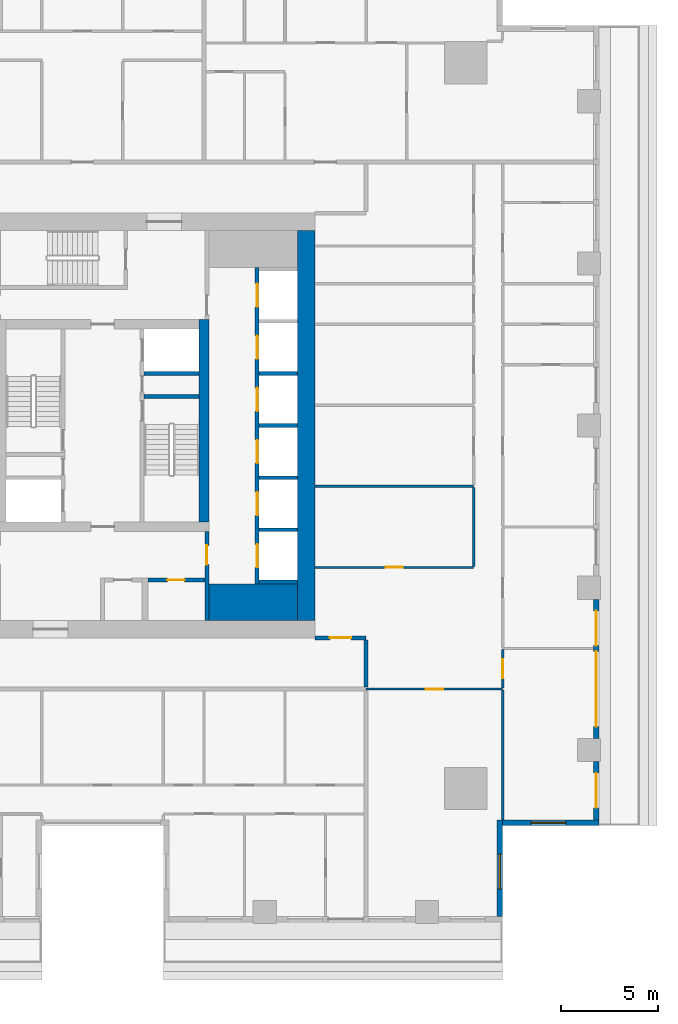
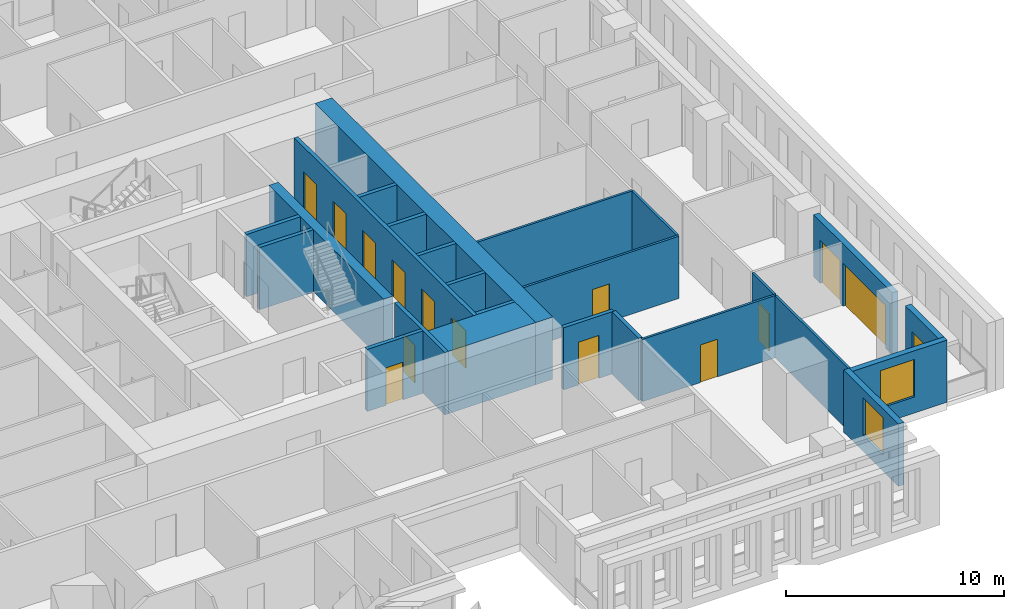
# One storey, part 5 of 15: 25 walls, 15 doors, 2 windows, 17 openings.
"""IFC4 building model written with IfcOpenShell, lengths in metres."""

from ifc_helpers import new_model, si_unit, direction, frame, frame_2d, origin, place, context, subcontext, project, spatial, rectangle, extrude, material, layer, layer_set, type_object, element, fill, save


model = new_model("IFC4")

# Units and contexts
model_context = context("Model", 3, precision=1e-05, world=origin(), true_north=direction((0.0, 1.0)))
body_context = subcontext(model_context, "Body", "Model", "MODEL_VIEW")
ifc_project = project(units=[si_unit("LENGTHUNIT", "METRE"), si_unit("AREAUNIT", "SQUARE_METRE"), si_unit("VOLUMEUNIT", "CUBIC_METRE"), si_unit("PLANEANGLEUNIT", "RADIAN"), si_unit("MASSUNIT", "GRAM", prefix="KILO")], contexts=[model_context])

# Site, building, storey
site_placement = place(None, origin())
site = spatial("IfcSite", under=ifc_project, at=site_placement, CompositionType="ELEMENT")
building_placement = place(site_placement, origin())
building = spatial("IfcBuilding", under=site, at=building_placement, Name="Khepri Terraces", CompositionType="ELEMENT")
storey_placement = place(building_placement, frame((0.0, 0.0, 244.5)))
storey = spatial("IfcBuildingStorey", under=building, at=storey_placement, Name="L58", CompositionType="ELEMENT", Elevation=244.5)

# Walls
ifc_material_1 = material(Name="Concrete C40/50", Category="concrete")
ifc_layer_1 = layer(ifc_material_1, 1.89990234375, Name="Concrete C40/50", Category="concrete")
ifc_layer_set_1 = layer_set([ifc_layer_1], Name="Concrete C40/50")
wall_type_1 = type_object("IfcWallType", Name="Core wall 1900 C40/50", PredefinedType="SHEAR", material=ifc_layer_set_1)
wall_1_placement = place(storey_placement, frame((5.5, -9.14990234375, 0.0), z_axis=(0.0, 0.0, 1.0), x_axis=(1.0, 0.0, 0.0)))
element("IfcWall", 1, at=wall_1_placement, inside=storey, type_object=wall_type_1, Name="Core wall PR02 L58", PredefinedType="SHEAR", context=body_context, shape_type="SweptSolid", body=[
    extrude(rectangle(XDim=4.60009765625, YDim=1.89990234375, at=frame_2d((2.300048828125, 0.0))), origin(), (0.0, 0.0, 1.0), 3.47998046875),
])
ifc_layer_2 = layer(ifc_material_1, 0.199951171875, Name="Concrete C40/50", Category="concrete")
ifc_layer_set_2 = layer_set([ifc_layer_2], Name="Concrete C40/50")
wall_type_2 = type_object("IfcWallType", Name="Core wall 200 C40/50", PredefinedType="SHEAR", material=ifc_layer_set_2)
wall_2_placement = place(storey_placement, frame((2.14990234375, 1.5, 0.0), z_axis=(0.0, 0.0, 1.0), x_axis=(1.0, 0.0, 0.0)))
element("IfcWall", 2, at=wall_2_placement, inside=storey, type_object=wall_type_2, Name="Core wall ST04 L58", PredefinedType="SHEAR", context=body_context, shape_type="SweptSolid", body=[
    extrude(rectangle(XDim=2.85009765625, YDim=0.199951171875, at=frame_2d((1.425048828125, 0.0))), origin(), (0.0, 0.0, 1.0), 3.47998046875),
])

# Wall, openings, doors
wall_3_placement = place(storey_placement, frame((8.0, -8.199951171875, 0.0), z_axis=(0.0, 0.0, 1.0), x_axis=(0.0, 1.0, 0.0)))
wall_3 = element("IfcWall", 3, at=wall_3_placement, inside=storey, type_object=wall_type_2, Name="Core wall SH02 L58", PredefinedType="SHEAR", context=body_context, shape_type="SweptSolid", body=[
    extrude(rectangle(XDim=16.39990234375, YDim=0.199951171875, at=frame_2d((8.199951171875, 0.0))), origin(), (0.0, 0.0, 1.0), 3.47998046875),
])
opening_1_placement = place(wall_3_placement, frame((0.85009765625, 0.0, 0.0)))
opening_1 = element("IfcOpeningElement", 4, at=opening_1_placement, cuts=wall_3, Name="Opening L58-C01", PredefinedType="OPENING", context=body_context, shape_type="SweptSolid", body=[
    extrude(rectangle(XDim=1.199951171875, YDim=2.10009765625, at=frame_2d((0.60009765625, 1.050048828125))), frame((0.0, 0.10986328125, 0.0), z_axis=(0.0, -1.0, 0.0), x_axis=(1.0, 0.0, 0.0)), (0.0, 0.0, 1.0), 0.219970703125),
])
opening_2_placement = place(wall_3_placement, frame((3.550048828125, 0.0, 0.0)))
opening_2 = element("IfcOpeningElement", 5, at=opening_2_placement, cuts=wall_3, Name="Opening L58-C02", PredefinedType="OPENING", context=body_context, shape_type="SweptSolid", body=[
    extrude(rectangle(XDim=1.199951171875, YDim=2.10009765625, at=frame_2d((0.60009765625, 1.050048828125))), frame((0.0, 0.10986328125, 0.0), z_axis=(0.0, -1.0, 0.0), x_axis=(1.0, 0.0, 0.0)), (0.0, 0.0, 1.0), 0.219970703125),
])
opening_3_placement = place(wall_3_placement, frame((6.25, 0.0, 0.0)))
opening_3 = element("IfcOpeningElement", 6, at=opening_3_placement, cuts=wall_3, Name="Opening L58-C03", PredefinedType="OPENING", context=body_context, shape_type="SweptSolid", body=[
    extrude(rectangle(XDim=1.199951171875, YDim=2.10009765625, at=frame_2d((0.60009765625, 1.050048828125))), frame((0.0, 0.10986328125, 0.0), z_axis=(0.0, -1.0, 0.0), x_axis=(1.0, 0.0, 0.0)), (0.0, 0.0, 1.0), 0.219970703125),
])
opening_4_placement = place(wall_3_placement, frame((8.949951171875, 0.0, 0.0)))
opening_4 = element("IfcOpeningElement", 7, at=opening_4_placement, cuts=wall_3, Name="Opening L58-C04", PredefinedType="OPENING", context=body_context, shape_type="SweptSolid", body=[
    extrude(rectangle(XDim=1.199951171875, YDim=2.10009765625, at=frame_2d((0.60009765625, 1.050048828125))), frame((0.0, 0.10986328125, 0.0), z_axis=(0.0, -1.0, 0.0), x_axis=(1.0, 0.0, 0.0)), (0.0, 0.0, 1.0), 0.219970703125),
])
opening_5_placement = place(wall_3_placement, frame((11.64990234375, 0.0, 0.0)))
opening_5 = element("IfcOpeningElement", 8, at=opening_5_placement, cuts=wall_3, Name="Opening L58-C05", PredefinedType="OPENING", context=body_context, shape_type="SweptSolid", body=[
    extrude(rectangle(XDim=1.199951171875, YDim=2.10009765625, at=frame_2d((0.60009765625, 1.050048828125))), frame((0.0, 0.10986328125, 0.0), z_axis=(0.0, -1.0, 0.0), x_axis=(1.0, 0.0, 0.0)), (0.0, 0.0, 1.0), 0.219970703125),
])
opening_6_placement = place(wall_3_placement, frame((14.35009765625, 0.0, 0.0)))
opening_6 = element("IfcOpeningElement", 9, at=opening_6_placement, cuts=wall_3, Name="Opening L58-C06", PredefinedType="OPENING", context=body_context, shape_type="SweptSolid", body=[
    extrude(rectangle(XDim=1.199951171875, YDim=2.10009765625, at=frame_2d((0.60009765625, 1.050048828125))), frame((0.0, 0.10986328125, 0.0), z_axis=(0.0, -1.0, 0.0), x_axis=(1.0, 0.0, 0.0)), (0.0, 0.0, 1.0), 0.219970703125),
])
ifc_material_2 = material(Name="Stainless steel 304", Category="steel")
door_type_1 = type_object("IfcDoorType", Name="DR-CORE-LANDING-1200", OperationType="NOTDEFINED", PredefinedType="DOOR", material=ifc_material_2)
door_1_placement = place(opening_1_placement, origin())
door_1 = element("IfcDoor", 10, at=door_1_placement, inside=storey, type_object=door_type_1, Name="Lift landing door L58-C01", OperationType="SLIDING_TO_LEFT", OverallHeight=2.10009765625, OverallWidth=1.199951171875, PredefinedType="DOOR", context=body_context, shape_type="SweptSolid", body=[
    extrude(rectangle(XDim=1.199951171875, YDim=2.10009765625, at=frame_2d((0.60009765625, 1.050048828125))), frame((0.0, 0.02490234375, 0.0), z_axis=(0.0, -1.0, 0.0), x_axis=(1.0, 0.0, 0.0)), (0.0, 0.0, 1.0), 0.050048828125),
])
fill(opening_1, door_1)
door_2_placement = place(opening_2_placement, origin())
door_2 = element("IfcDoor", 11, at=door_2_placement, inside=storey, type_object=door_type_1, Name="Lift landing door L58-C02", OperationType="SLIDING_TO_LEFT", OverallHeight=2.10009765625, OverallWidth=1.199951171875, PredefinedType="DOOR", context=body_context, shape_type="SweptSolid", body=[
    extrude(rectangle(XDim=1.199951171875, YDim=2.10009765625, at=frame_2d((0.60009765625, 1.050048828125))), frame((0.0, 0.02490234375, 0.0), z_axis=(0.0, -1.0, 0.0), x_axis=(1.0, 0.0, 0.0)), (0.0, 0.0, 1.0), 0.050048828125),
])
fill(opening_2, door_2)
door_3_placement = place(opening_3_placement, origin())
door_3 = element("IfcDoor", 12, at=door_3_placement, inside=storey, type_object=door_type_1, Name="Lift landing door L58-C03", OperationType="SLIDING_TO_LEFT", OverallHeight=2.10009765625, OverallWidth=1.199951171875, PredefinedType="DOOR", context=body_context, shape_type="SweptSolid", body=[
    extrude(rectangle(XDim=1.199951171875, YDim=2.10009765625, at=frame_2d((0.60009765625, 1.050048828125))), frame((0.0, 0.02490234375, 0.0), z_axis=(0.0, -1.0, 0.0), x_axis=(1.0, 0.0, 0.0)), (0.0, 0.0, 1.0), 0.050048828125),
])
fill(opening_3, door_3)
door_4_placement = place(opening_4_placement, origin())
door_4 = element("IfcDoor", 13, at=door_4_placement, inside=storey, type_object=door_type_1, Name="Lift landing door L58-C04", OperationType="SLIDING_TO_LEFT", OverallHeight=2.10009765625, OverallWidth=1.199951171875, PredefinedType="DOOR", context=body_context, shape_type="SweptSolid", body=[
    extrude(rectangle(XDim=1.199951171875, YDim=2.10009765625, at=frame_2d((0.60009765625, 1.050048828125))), frame((0.0, 0.02490234375, 0.0), z_axis=(0.0, -1.0, 0.0), x_axis=(1.0, 0.0, 0.0)), (0.0, 0.0, 1.0), 0.050048828125),
])
fill(opening_4, door_4)
door_5_placement = place(opening_5_placement, origin())
door_5 = element("IfcDoor", 14, at=door_5_placement, inside=storey, type_object=door_type_1, Name="Lift landing door L58-C05", OperationType="SLIDING_TO_LEFT", OverallHeight=2.10009765625, OverallWidth=1.199951171875, PredefinedType="DOOR", context=body_context, shape_type="SweptSolid", body=[
    extrude(rectangle(XDim=1.199951171875, YDim=2.10009765625, at=frame_2d((0.60009765625, 1.050048828125))), frame((0.0, 0.02490234375, 0.0), z_axis=(0.0, -1.0, 0.0), x_axis=(1.0, 0.0, 0.0)), (0.0, 0.0, 1.0), 0.050048828125),
])
fill(opening_5, door_5)
door_6_placement = place(opening_6_placement, origin())
door_6 = element("IfcDoor", 15, at=door_6_placement, inside=storey, type_object=door_type_1, Name="Lift landing door L58-C06", OperationType="SLIDING_TO_LEFT", OverallHeight=2.10009765625, OverallWidth=1.199951171875, PredefinedType="DOOR", context=body_context, shape_type="SweptSolid", body=[
    extrude(rectangle(XDim=1.199951171875, YDim=2.10009765625, at=frame_2d((0.60009765625, 1.050048828125))), frame((0.0, 0.02490234375, 0.0), z_axis=(0.0, -1.0, 0.0), x_axis=(1.0, 0.0, 0.0)), (0.0, 0.0, 1.0), 0.050048828125),
])
fill(opening_6, door_6)

# Walls
for number, where, z_axis, x_axis, name in (
    (16, (8.10009765625, -8.10009765625, 0.0), (0.0, 0.0, 1.0), (1.0, 0.0, 0.0), "Core wall SH03 L58"),
    (17, (8.10009765625, -5.39990234375, 0.0), (0.0, 0.0, 1.0), (1.0, 0.0, 0.0), "Core wall SH04 L58"),
    (18, (8.10009765625, -2.699951171875, 0.0), (0.0, 0.0, 1.0), (1.0, 0.0, 0.0), "Core wall SH08 L58"),
    (19, (8.10009765625, 0.0, 0.0), (0.0, 0.0, 1.0), (1.0, 0.0, 0.0), "Core wall SH09 L58"),
):
    element("IfcWall", number, at=place(storey_placement, frame(where, z_axis=z_axis, x_axis=x_axis)), inside=storey, type_object=wall_type_2, Name=name, PredefinedType="SHEAR", context=body_context, shape_type="SweptSolid", body=[
        extrude(rectangle(XDim=2.0, YDim=0.199951171875, at=frame_2d((1.0, 0.0))), origin(), (0.0, 0.0, 1.0), 3.47998046875),
    ])
wall_4_placement = place(storey_placement, frame((2.14990234375, 2.699951171875, 0.0), z_axis=(0.0, 0.0, 1.0), x_axis=(1.0, 0.0, 0.0)))
element("IfcWall", 20, at=wall_4_placement, inside=storey, type_object=wall_type_2, Name="Core wall SH12 L58", PredefinedType="SHEAR", context=body_context, shape_type="SweptSolid", body=[
    extrude(rectangle(XDim=2.85009765625, YDim=0.199951171875, at=frame_2d((1.425048828125, 0.0))), origin(), (0.0, 0.0, 1.0), 3.47998046875),
])
wall_5_placement = place(storey_placement, frame((8.10009765625, 2.699951171875, 0.0), z_axis=(0.0, 0.0, 1.0), x_axis=(1.0, 0.0, 0.0)))
element("IfcWall", 21, at=wall_5_placement, inside=storey, type_object=wall_type_2, Name="Core wall SH13 L58", PredefinedType="SHEAR", context=body_context, shape_type="SweptSolid", body=[
    extrude(rectangle(XDim=2.0, YDim=0.199951171875, at=frame_2d((1.0, 0.0))), origin(), (0.0, 0.0, 1.0), 3.47998046875),
])
ifc_layer_3 = layer(ifc_material_1, 0.5, Name="Concrete C40/50", Category="concrete")
ifc_layer_set_3 = layer_set([ifc_layer_3], Name="Concrete C40/50")
wall_type_3 = type_object("IfcWallType", Name="Core wall 500 C40/50", PredefinedType="SHEAR", material=ifc_layer_set_3)
wall_6_placement = place(storey_placement, frame((5.25, -5.0, 0.0), z_axis=(0.0, 0.0, 1.0), x_axis=(0.0, 1.0, 0.0)))
element("IfcWall", 22, at=wall_6_placement, inside=storey, type_object=wall_type_3, Name="Core wall BX03 L58", PredefinedType="SHEAR", context=body_context, shape_type="SweptSolid", body=[
    extrude(rectangle(XDim=10.5, YDim=0.5, at=frame_2d((5.25, 0.0))), origin(), (0.0, 0.0, 1.0), 3.47998046875),
])
ifc_layer_4 = layer(ifc_material_1, 0.89990234375, Name="Concrete C40/50", Category="concrete")
ifc_layer_set_4 = layer_set([ifc_layer_4], Name="Concrete C40/50")
wall_type_4 = type_object("IfcWallType", Name="Core wall 900 C40/50", PredefinedType="SHEAR", material=ifc_layer_set_4)
wall_7_placement = place(storey_placement, frame((10.550048828125, -10.10009765625, 0.0), z_axis=(0.0, 0.0, 1.0), x_axis=(0.0, 1.0, 0.0)))
element("IfcWall", 23, at=wall_7_placement, inside=storey, type_object=wall_type_4, Name="Core wall OW-E L58", PredefinedType="SHEAR", context=body_context, shape_type="SweptSolid", body=[
    extrude(rectangle(XDim=20.2001953125, YDim=0.89990234375, at=frame_2d((10.10009765625, 0.0))), origin(), (0.0, 0.0, 1.0), 3.47998046875),
])

# Wall, opening, door
ifc_material_3 = material(Name="Fire-rated gypsum board partition")
ifc_layer_5 = layer(ifc_material_3, 0.199951171875, Name="Fire-rated gypsum board partition")
ifc_layer_set_5 = layer_set([ifc_layer_5], Name="Fire-rated gypsum board partition")
wall_type_5 = type_object("IfcWallType", Name="WL-CORE-PART-200", PredefinedType="PARTITIONING", material=ifc_layer_set_5)
wall_8_placement = place(storey_placement, frame((5.39990234375, -10.10009765625, 0.0), z_axis=(0.0, 0.0, 1.0), x_axis=(0.0, 1.0, 0.0)))
wall_8 = element("IfcWall", 24, at=wall_8_placement, inside=storey, type_object=wall_type_5, Name="Core partition PT04 L58", PredefinedType="PARTITIONING", context=body_context, shape_type="SweptSolid", body=[
    extrude(rectangle(XDim=4.60009765625, YDim=0.199951171875, at=frame_2d((2.300048828125, 0.0))), origin(), (0.0, 0.0, 1.0), 3.47998046875),
])
opening_7_placement = place(wall_8_placement, frame((2.89990234375, 0.0, 0.0)))
opening_7 = element("IfcOpeningElement", 25, at=opening_7_placement, cuts=wall_8, Name="Opening L58-C19", PredefinedType="OPENING", context=body_context, shape_type="SweptSolid", body=[
    extrude(rectangle(XDim=1.0, YDim=2.10009765625, at=frame_2d((0.5, 1.050048828125))), frame((0.0, 0.10986328125, 0.0), z_axis=(0.0, -1.0, 0.0), x_axis=(1.0, 0.0, 0.0)), (0.0, 0.0, 1.0), 0.219970703125),
])
ifc_material_4 = material(Name="Painted steel", Category="steel")
door_type_2 = type_object("IfcDoorType", Name="DR-CORE-LOBBY-1000", OperationType="NOTDEFINED", PredefinedType="DOOR", material=ifc_material_4)
door_7_placement = place(opening_7_placement, origin())
door_7 = element("IfcDoor", 26, at=door_7_placement, inside=storey, type_object=door_type_2, Name="Lobby door L58-C19", OperationType="SINGLE_SWING_RIGHT", OverallHeight=2.10009765625, OverallWidth=1.0, PredefinedType="DOOR", context=body_context, shape_type="SweptSolid", body=[
    extrude(rectangle(XDim=1.0, YDim=2.10009765625, at=frame_2d((0.5, 1.050048828125))), frame((0.0, 0.02490234375, 0.0), z_axis=(0.0, -1.0, 0.0), x_axis=(1.0, 0.0, 0.0)), (0.0, 0.0, 1.0), 0.050048828125),
])
fill(opening_7, door_7)

wall_9_placement = place(storey_placement, frame((2.35009765625, -8.0, 0.0), z_axis=(0.0, 0.0, 1.0), x_axis=(1.0, 0.0, 0.0)))
wall_9 = element("IfcWall", 27, at=wall_9_placement, inside=storey, type_object=wall_type_5, Name="Core partition PT07 L58", PredefinedType="PARTITIONING", context=body_context, shape_type="SweptSolid", body=[
    extrude(rectangle(XDim=2.949951171875, YDim=0.199951171875, at=frame_2d((1.47509765625, 0.0))), origin(), (0.0, 0.0, 1.0), 3.47998046875),
])
opening_8_placement = place(wall_9_placement, frame((1.0, 0.0, 0.0)))
opening_8 = element("IfcOpeningElement", 28, at=opening_8_placement, cuts=wall_9, Name="Opening L58-C23", PredefinedType="OPENING", context=body_context, shape_type="SweptSolid", body=[
    extrude(rectangle(XDim=0.89990234375, YDim=2.10009765625, at=frame_2d((0.449951171875, 1.050048828125))), frame((0.0, 0.10986328125, 0.0), z_axis=(0.0, -1.0, 0.0), x_axis=(1.0, 0.0, 0.0)), (0.0, 0.0, 1.0), 0.219970703125),
])
door_type_3 = type_object("IfcDoorType", Name="DR-CORE-SERVICE-900", OperationType="NOTDEFINED", PredefinedType="DOOR", material=ifc_material_4)
door_8_placement = place(opening_8_placement, frame((0.89990234375, 0.0, 0.0), z_axis=(0.0, 0.0, 1.0), x_axis=(-1.0, 0.0, 0.0)))
door_8 = element("IfcDoor", 29, at=door_8_placement, inside=storey, type_object=door_type_3, Name="Service room door L58-C23", OperationType="SINGLE_SWING_RIGHT", OverallHeight=2.10009765625, OverallWidth=0.89990234375, PredefinedType="DOOR", context=body_context, shape_type="SweptSolid", body=[
    extrude(rectangle(XDim=0.89990234375, YDim=2.10009765625, at=frame_2d((0.449951171875, 1.050048828125))), frame((0.0, 0.02490234375, 0.0), z_axis=(0.0, -1.0, 0.0), x_axis=(1.0, 0.0, 0.0)), (0.0, 0.0, 1.0), 0.050048828125),
])
fill(opening_8, door_8)

# Wall
ifc_material_5 = material(Name="Fire-rated gypsum plasterboard partition, mineral wool")
ifc_layer_6 = layer(ifc_material_5, 0.199951171875, Name="Fire-rated gypsum plasterboard partition, mineral wool")
ifc_layer_set_6 = layer_set([ifc_layer_6], Name="Fire-rated gypsum plasterboard partition, mineral wool")
wall_type_6 = type_object("IfcWallType", Name="WL-CORR-200", PredefinedType="PARTITIONING", material=ifc_layer_set_6)
wall_10_placement = place(storey_placement, frame((13.64990234375, -13.550048828125, 0.0), z_axis=(0.0, 0.0, 1.0), x_axis=(0.0, 1.0, 0.0)))
element("IfcWall", 30, at=wall_10_placement, inside=storey, type_object=wall_type_6, Name="Partition P-026 L58", PredefinedType="PARTITIONING", context=body_context, shape_type="SweptSolid", body=[
    extrude(rectangle(XDim=2.449951171875, YDim=0.199951171875, at=frame_2d((1.22509765625, 0.0))), origin(), (0.0, 0.0, 1.0), 3.47998046875),
])

# Wall, opening, door
wall_11_placement = place(storey_placement, frame((11.0, -11.0, 0.0), z_axis=(0.0, 0.0, 1.0), x_axis=(1.0, 0.0, 0.0)))
wall_11 = element("IfcWall", 31, at=wall_11_placement, inside=storey, type_object=wall_type_6, Name="Partition P-032 L58", PredefinedType="PARTITIONING", context=body_context, shape_type="SweptSolid", body=[
    extrude(rectangle(XDim=2.64990234375, YDim=0.199951171875, at=frame_2d((1.324951171875, 0.0))), origin(), (0.0, 0.0, 1.0), 3.47998046875),
])
opening_9_placement = place(wall_11_placement, frame((0.77490234375, 0.0, 0.0)))
opening_9 = element("IfcOpeningElement", 32, at=opening_9_placement, cuts=wall_11, Name="Opening D1", PredefinedType="OPENING", context=body_context, shape_type="SweptSolid", body=[
    extrude(rectangle(XDim=1.10009765625, YDim=2.39990234375, at=frame_2d((0.550048828125, 1.199951171875))), frame((0.0, 0.10986328125, 0.0), z_axis=(0.0, -1.0, 0.0), x_axis=(1.0, 0.0, 0.0)), (0.0, 0.0, 1.0), 0.219970703125),
])
ifc_material_6 = material(Name="Solid-core timber door leaf, flat entrance door", Category="wood")
door_type_4 = type_object("IfcDoorType", Name="DR-ENT-1100", OperationType="NOTDEFINED", PredefinedType="DOOR", material=ifc_material_6)
door_9_placement = place(opening_9_placement, origin())
door_9 = element("IfcDoor", 33, at=door_9_placement, inside=storey, type_object=door_type_4, Name="Flat B1 entrance door", OperationType="SINGLE_SWING_LEFT", OverallHeight=2.39990234375, OverallWidth=1.10009765625, PredefinedType="DOOR", context=body_context, shape_type="SweptSolid", body=[
    extrude(rectangle(XDim=1.10009765625, YDim=2.39990234375, at=frame_2d((0.550048828125, 1.199951171875))), frame((0.0, 0.02490234375, 0.0), z_axis=(0.0, -1.0, 0.0), x_axis=(1.0, 0.0, 0.0)), (0.0, 0.0, 1.0), 0.050048828125),
])
fill(opening_9, door_9)

# Wall, opening, window
ifc_material_7 = material(Name="Precast concrete C50/60 warm stone", Category="masonry")
ifc_layer_7 = layer(ifc_material_7, 0.300048828125, Name="Precast concrete C50/60 warm stone", Category="masonry")
ifc_layer_set_7 = layer_set([ifc_layer_7], Name="Precast concrete C50/60 warm stone")
wall_type_7 = type_object("IfcWallType", Name="WL-EXT-PRECAST-300", PredefinedType="STANDARD", material=ifc_layer_set_7)
wall_12_placement = place(storey_placement, frame((20.719970703125, -20.570068359375, 0.0), z_axis=(0.0, 0.0, 1.0), x_axis=(1.0, 0.0, 0.0)))
wall_12 = element("IfcWall", 34, at=wall_12_placement, inside=storey, type_object=wall_type_7, Name="External wall L58 S", PredefinedType="STANDARD", context=body_context, shape_type="SweptSolid", body=[
    extrude(rectangle(XDim=5.0, YDim=0.300048828125, at=frame_2d((2.5, 0.0))), origin(), (0.0, 0.0, 1.0), 3.47998046875),
])
opening_10_placement = place(wall_12_placement, frame((1.47998046875, 0.0, 0.89990234375)))
opening_10 = element("IfcOpeningElement", 35, at=opening_10_placement, cuts=wall_12, Name="Opening W1", PredefinedType="OPENING", context=body_context, shape_type="SweptSolid", body=[
    extrude(rectangle(XDim=1.800048828125, YDim=2.10009765625, at=frame_2d((0.89990234375, 1.050048828125))), frame((0.0, 0.16015625, 0.0), z_axis=(0.0, -1.0, 0.0), x_axis=(1.0, 0.0, 0.0)), (0.0, 0.0, 1.0), 0.320068359375),
])
ifc_material_8 = material(Name="Clear glass", Category="glass")
window_type = type_object("IfcWindowType", Name="WIN-RES-1800x2100", PartitioningType="SINGLE_PANEL", PredefinedType="WINDOW", material=ifc_material_8)
window_1_placement = place(opening_10_placement, origin())
window_1 = element("IfcWindow", 36, at=window_1_placement, inside=storey, type_object=window_type, Name="Window L58 S", OverallHeight=2.10009765625, OverallWidth=1.800048828125, PartitioningType="SINGLE_PANEL", PredefinedType="WINDOW", context=body_context, shape_type="SweptSolid", body=[
    extrude(rectangle(XDim=1.800048828125, YDim=2.10009765625, at=frame_2d((0.89990234375, 1.050048828125))), frame((0.0, 0.030029296875, 0.0), z_axis=(0.0, -1.0, 0.0), x_axis=(1.0, 0.0, 0.0)), (0.0, 0.0, 1.0), 0.06005859375),
])
fill(opening_10, window_1)

# Wall, opening, door
wall_13_placement = place(storey_placement, frame((25.570068359375, -20.419921875, 0.0), z_axis=(0.0, 0.0, 1.0), x_axis=(0.0, 1.0, 0.0)))
wall_13 = element("IfcWall", 37, at=wall_13_placement, inside=storey, type_object=wall_type_7, Name="External wall L58 E", PredefinedType="STANDARD", context=body_context, shape_type="SweptSolid", body=[
    extrude(rectangle(XDim=3.02001953125, YDim=0.300048828125, at=frame_2d((1.510009765625, 0.0))), origin(), (0.0, 0.0, 1.0), 3.47998046875),
])
opening_11_placement = place(wall_13_placement, frame((0.6201171875, 0.0, 0.0)))
opening_11 = element("IfcOpeningElement", 38, at=opening_11_placement, cuts=wall_13, Name="Opening ED-L58-01", PredefinedType="OPENING", context=body_context, shape_type="SweptSolid", body=[
    extrude(rectangle(XDim=1.800048828125, YDim=2.39990234375, at=frame_2d((0.89990234375, 1.199951171875))), frame((0.0, 0.16015625, 0.0), z_axis=(0.0, -1.0, 0.0), x_axis=(1.0, 0.0, 0.0)), (0.0, 0.0, 1.0), 0.320068359375),
])
ifc_material_9 = material(Name="Anodised aluminium bronze glazed door", Category="aluminium")
door_type_5 = type_object("IfcDoorType", Name="DR-BAL-SLIDE-1800x2400", OperationType="NOTDEFINED", PredefinedType="DOOR", material=ifc_material_9)
door_10_placement = place(opening_11_placement, origin())
door_10 = element("IfcDoor", 39, at=door_10_placement, inside=storey, type_object=door_type_5, Name="Balcony door L58 E", OperationType="SLIDING_TO_RIGHT", OverallHeight=2.39990234375, OverallWidth=1.800048828125, PredefinedType="DOOR", context=body_context, shape_type="SweptSolid", body=[
    extrude(rectangle(XDim=1.800048828125, YDim=2.39990234375, at=frame_2d((0.89990234375, 1.199951171875))), frame((0.0, 0.02490234375, 0.0), z_axis=(0.0, -1.0, 0.0), x_axis=(1.0, 0.0, 0.0)), (0.0, 0.0, 1.0), 0.050048828125),
])
fill(opening_11, door_10)

# Wall, openings, doors
wall_14_placement = place(storey_placement, frame((25.570068359375, -16.199951171875, 0.0), z_axis=(0.0, 0.0, 1.0), x_axis=(0.0, 1.0, 0.0)))
wall_14 = element("IfcWall", 40, at=wall_14_placement, inside=storey, type_object=wall_type_7, Name="External wall L58 E", PredefinedType="STANDARD", context=body_context, shape_type="SweptSolid", body=[
    extrude(rectangle(XDim=7.199951171875, YDim=0.300048828125, at=frame_2d((3.60009765625, 0.0))), origin(), (0.0, 0.0, 1.0), 3.47998046875),
])
opening_12_placement = place(wall_14_placement, frame((0.60009765625, 0.0, 0.0)))
opening_12 = element("IfcOpeningElement", 41, at=opening_12_placement, cuts=wall_14, Name="Opening ED-L58-02", PredefinedType="OPENING", context=body_context, shape_type="SweptSolid", body=[
    extrude(rectangle(XDim=3.89990234375, YDim=2.39990234375, at=frame_2d((1.949951171875, 1.199951171875))), frame((0.0, 0.16015625, 0.0), z_axis=(0.0, -1.0, 0.0), x_axis=(1.0, 0.0, 0.0)), (0.0, 0.0, 1.0), 0.320068359375),
])
opening_13_placement = place(wall_14_placement, frame((4.800048828125, 0.0, 0.0)))
opening_13 = element("IfcOpeningElement", 42, at=opening_13_placement, cuts=wall_14, Name="Opening ED-L58-03", PredefinedType="OPENING", context=body_context, shape_type="SweptSolid", body=[
    extrude(rectangle(XDim=1.800048828125, YDim=2.39990234375, at=frame_2d((0.89990234375, 1.199951171875))), frame((0.0, 0.16015625, 0.0), z_axis=(0.0, -1.0, 0.0), x_axis=(1.0, 0.0, 0.0)), (0.0, 0.0, 1.0), 0.320068359375),
])
door_11_placement = place(opening_13_placement, origin())
door_11 = element("IfcDoor", 43, at=door_11_placement, inside=storey, type_object=door_type_5, Name="Balcony door L58 E", OperationType="SLIDING_TO_RIGHT", OverallHeight=2.39990234375, OverallWidth=1.800048828125, PredefinedType="DOOR", context=body_context, shape_type="SweptSolid", body=[
    extrude(rectangle(XDim=1.800048828125, YDim=2.39990234375, at=frame_2d((0.89990234375, 1.199951171875))), frame((0.0, 0.02490234375, 0.0), z_axis=(0.0, -1.0, 0.0), x_axis=(1.0, 0.0, 0.0)), (0.0, 0.0, 1.0), 0.050048828125),
])
fill(opening_13, door_11)
door_type_6 = type_object("IfcDoorType", Name="DR-BAL-SLIDE-3900x2400", OperationType="NOTDEFINED", PredefinedType="DOOR", material=ifc_material_9)
door_12_placement = place(opening_12_placement, origin())
door_12 = element("IfcDoor", 44, at=door_12_placement, inside=storey, type_object=door_type_6, Name="Balcony door L58 E", OperationType="SLIDING_TO_LEFT", OverallHeight=2.39990234375, OverallWidth=3.89990234375, PredefinedType="DOOR", context=body_context, shape_type="SweptSolid", body=[
    extrude(rectangle(XDim=3.89990234375, YDim=2.39990234375, at=frame_2d((1.949951171875, 1.199951171875))), frame((0.0, 0.02490234375, 0.0), z_axis=(0.0, -1.0, 0.0), x_axis=(1.0, 0.0, 0.0)), (0.0, 0.0, 1.0), 0.050048828125),
])
fill(opening_12, door_12)

# Wall, opening, window
wall_15_placement = place(storey_placement, frame((20.570068359375, -25.419921875, 0.0), z_axis=(0.0, 0.0, 1.0), x_axis=(0.0, 1.0, 0.0)))
wall_15 = element("IfcWall", 45, at=wall_15_placement, inside=storey, type_object=wall_type_7, Name="External wall L58 E", PredefinedType="STANDARD", context=body_context, shape_type="SweptSolid", body=[
    extrude(rectangle(XDim=5.0, YDim=0.300048828125, at=frame_2d((2.5, 0.0))), origin(), (0.0, 0.0, 1.0), 3.47998046875),
])
opening_14_placement = place(wall_15_placement, frame((1.419921875, 0.0, 0.89990234375)))
opening_14 = element("IfcOpeningElement", 46, at=opening_14_placement, cuts=wall_15, Name="Opening W1", PredefinedType="OPENING", context=body_context, shape_type="SweptSolid", body=[
    extrude(rectangle(XDim=1.800048828125, YDim=2.10009765625, at=frame_2d((0.89990234375, 1.050048828125))), frame((0.0, 0.16015625, 0.0), z_axis=(0.0, -1.0, 0.0), x_axis=(1.0, 0.0, 0.0)), (0.0, 0.0, 1.0), 0.320068359375),
])
window_2_placement = place(opening_14_placement, origin())
window_2 = element("IfcWindow", 47, at=window_2_placement, inside=storey, type_object=window_type, Name="Window L58 E", OverallHeight=2.10009765625, OverallWidth=1.800048828125, PartitioningType="SINGLE_PANEL", PredefinedType="WINDOW", context=body_context, shape_type="SweptSolid", body=[
    extrude(rectangle(XDim=1.800048828125, YDim=2.10009765625, at=frame_2d((0.89990234375, 1.050048828125))), frame((0.0, 0.030029296875, 0.0), z_axis=(0.0, -1.0, 0.0), x_axis=(1.0, 0.0, 0.0)), (0.0, 0.0, 1.0), 0.06005859375),
])
fill(opening_14, window_2)

# Wall
ifc_material_10 = material(Name="Gypsum plasterboard partition")
ifc_layer_8 = layer(ifc_material_10, 0.1201171875, Name="Gypsum plasterboard partition")
ifc_layer_set_8 = layer_set([ifc_layer_8], Name="Gypsum plasterboard partition")
wall_type_8 = type_object("IfcWallType", Name="WL-PART-120", PredefinedType="PARTITIONING", material=ifc_layer_set_8)
wall_16_placement = place(storey_placement, frame((20.719970703125, -20.419921875, 0.0), z_axis=(0.0, 0.0, 1.0), x_axis=(0.0, 1.0, 0.0)))
element("IfcWall", 48, at=wall_16_placement, inside=storey, type_object=wall_type_8, Name="Partition P-010 L58", PredefinedType="PARTITIONING", context=body_context, shape_type="SweptSolid", body=[
    extrude(rectangle(XDim=6.7099609375, YDim=0.1201171875, at=frame_2d((3.35498046875, 0.0))), origin(), (0.0, 0.0, 1.0), 3.47998046875),
])

# Wall, opening, door
wall_17_placement = place(storey_placement, frame((13.64990234375, -13.64990234375, 0.0), z_axis=(0.0, 0.0, 1.0), x_axis=(1.0, 0.0, 0.0)))
wall_17 = element("IfcWall", 49, at=wall_17_placement, inside=storey, type_object=wall_type_8, Name="Partition P-021 L58", PredefinedType="PARTITIONING", context=body_context, shape_type="SweptSolid", body=[
    extrude(rectangle(XDim=7.070068359375, YDim=0.1201171875, at=frame_2d((3.53515625, 0.0))), origin(), (0.0, 0.0, 1.0), 3.47998046875),
])
opening_15_placement = place(wall_17_placement, frame((3.0849609375, 0.0, 0.0)))
opening_15 = element("IfcOpeningElement", 50, at=opening_15_placement, cuts=wall_17, Name="Opening D3", PredefinedType="OPENING", context=body_context, shape_type="SweptSolid", body=[
    extrude(rectangle(XDim=0.89990234375, YDim=2.10009765625, at=frame_2d((0.449951171875, 1.050048828125))), frame((0.0, 0.070068359375, 0.0), z_axis=(0.0, -1.0, 0.0), x_axis=(1.0, 0.0, 0.0)), (0.0, 0.0, 1.0), 0.14013671875),
])
ifc_material_11 = material(Name="Timber door leaf", Category="wood")
door_type_7 = type_object("IfcDoorType", Name="DR-INT-900", OperationType="NOTDEFINED", PredefinedType="DOOR", material=ifc_material_11)
door_13_placement = place(opening_15_placement, frame((0.89990234375, 0.0, 0.0), z_axis=(0.0, 0.0, 1.0), x_axis=(-1.0, 0.0, 0.0)))
door_13 = element("IfcDoor", 51, at=door_13_placement, inside=storey, type_object=door_type_7, Name="Door Home Gym", OperationType="SINGLE_SWING_RIGHT", OverallHeight=2.10009765625, OverallWidth=0.89990234375, PredefinedType="DOOR", context=body_context, shape_type="SweptSolid", body=[
    extrude(rectangle(XDim=0.89990234375, YDim=2.10009765625, at=frame_2d((0.449951171875, 1.050048828125))), frame((0.0, 0.02490234375, 0.0), z_axis=(0.0, -1.0, 0.0), x_axis=(1.0, 0.0, 0.0)), (0.0, 0.0, 1.0), 0.050048828125),
])
fill(opening_15, door_13)

wall_18_placement = place(storey_placement, frame((20.719970703125, -13.590087890625, 0.0), z_axis=(0.0, 0.0, 1.0), x_axis=(0.0, 1.0, 0.0)))
wall_18 = element("IfcWall", 52, at=wall_18_placement, inside=storey, type_object=wall_type_8, Name="Partition P-022 L58", PredefinedType="PARTITIONING", context=body_context, shape_type="SweptSolid", body=[
    extrude(rectangle(XDim=1.97998046875, YDim=0.1201171875, at=frame_2d((0.989990234375, 0.0))), origin(), (0.0, 0.0, 1.0), 3.47998046875),
])
opening_16_placement = place(wall_18_placement, frame((0.489990234375, 0.0, 0.0)))
opening_16 = element("IfcOpeningElement", 53, at=opening_16_placement, cuts=wall_18, Name="Opening D2", PredefinedType="OPENING", context=body_context, shape_type="SweptSolid", body=[
    extrude(rectangle(XDim=1.0, YDim=2.10009765625, at=frame_2d((0.5, 1.050048828125))), frame((0.0, 0.070068359375, 0.0), z_axis=(0.0, -1.0, 0.0), x_axis=(1.0, 0.0, 0.0)), (0.0, 0.0, 1.0), 0.14013671875),
])
ifc_material_12 = material(Name="Timber door leaf, living room door", Category="wood")
door_type_8 = type_object("IfcDoorType", Name="DR-INT-1000", OperationType="NOTDEFINED", PredefinedType="DOOR", material=ifc_material_12)
door_14_placement = place(opening_16_placement, frame((1.0, 0.0, 0.0), z_axis=(0.0, 0.0, 1.0), x_axis=(-1.0, 0.0, 0.0)))
door_14 = element("IfcDoor", 54, at=door_14_placement, inside=storey, type_object=door_type_8, Name="Door Living Room", OperationType="SINGLE_SWING_RIGHT", OverallHeight=2.10009765625, OverallWidth=1.0, PredefinedType="DOOR", context=body_context, shape_type="SweptSolid", body=[
    extrude(rectangle(XDim=1.0, YDim=2.10009765625, at=frame_2d((0.5, 1.050048828125))), frame((0.0, 0.02490234375, 0.0), z_axis=(0.0, -1.0, 0.0), x_axis=(1.0, 0.0, 0.0)), (0.0, 0.0, 1.0), 0.050048828125),
])
fill(opening_16, door_14)

wall_19_placement = place(storey_placement, frame((11.0, -7.35009765625, 0.0), z_axis=(0.0, 0.0, 1.0), x_axis=(1.0, 0.0, 0.0)))
wall_19 = element("IfcWall", 55, at=wall_19_placement, inside=storey, type_object=wall_type_8, Name="Partition P-035 L58", PredefinedType="PARTITIONING", context=body_context, shape_type="SweptSolid", body=[
    extrude(rectangle(XDim=8.219970703125, YDim=0.1201171875, at=frame_2d((4.10986328125, 0.0))), origin(), (0.0, 0.0, 1.0), 3.47998046875),
])
opening_17_placement = place(wall_19_placement, frame((3.659912109375, 0.0, 0.0)))
opening_17 = element("IfcOpeningElement", 56, at=opening_17_placement, cuts=wall_19, Name="Opening D3", PredefinedType="OPENING", context=body_context, shape_type="SweptSolid", body=[
    extrude(rectangle(XDim=0.89990234375, YDim=2.10009765625, at=frame_2d((0.449951171875, 1.050048828125))), frame((0.0, 0.070068359375, 0.0), z_axis=(0.0, -1.0, 0.0), x_axis=(1.0, 0.0, 0.0)), (0.0, 0.0, 1.0), 0.14013671875),
])
door_15_placement = place(opening_17_placement, origin())
door_15 = element("IfcDoor", 57, at=door_15_placement, inside=storey, type_object=door_type_7, Name="Door Kitchen", OperationType="SINGLE_SWING_RIGHT", OverallHeight=2.10009765625, OverallWidth=0.89990234375, PredefinedType="DOOR", context=body_context, shape_type="SweptSolid", body=[
    extrude(rectangle(XDim=0.89990234375, YDim=2.10009765625, at=frame_2d((0.449951171875, 1.050048828125))), frame((0.0, 0.02490234375, 0.0), z_axis=(0.0, -1.0, 0.0), x_axis=(1.0, 0.0, 0.0)), (0.0, 0.0, 1.0), 0.050048828125),
])
fill(opening_17, door_15)

# Walls
wall_20_placement = place(storey_placement, frame((19.219970703125, -7.2900390625, 0.0), z_axis=(0.0, 0.0, 1.0), x_axis=(0.0, 1.0, 0.0)))
element("IfcWall", 58, at=wall_20_placement, inside=storey, type_object=wall_type_8, Name="Partition P-036 L58", PredefinedType="PARTITIONING", context=body_context, shape_type="SweptSolid", body=[
    extrude(rectangle(XDim=4.080078125, YDim=0.1201171875, at=frame_2d((2.0400390625, 0.0))), origin(), (0.0, 0.0, 1.0), 3.47998046875),
])
wall_21_placement = place(storey_placement, frame((11.0, -3.14990234375, 0.0), z_axis=(0.0, 0.0, 1.0), x_axis=(1.0, 0.0, 0.0)))
element("IfcWall", 59, at=wall_21_placement, inside=storey, type_object=wall_type_8, Name="Partition P-046 L58", PredefinedType="PARTITIONING", context=body_context, shape_type="SweptSolid", body=[
    extrude(rectangle(XDim=8.219970703125, YDim=0.1201171875, at=frame_2d((4.10986328125, 0.0))), origin(), (0.0, 0.0, 1.0), 3.47998046875),
])

save(model, "model.ifc")
